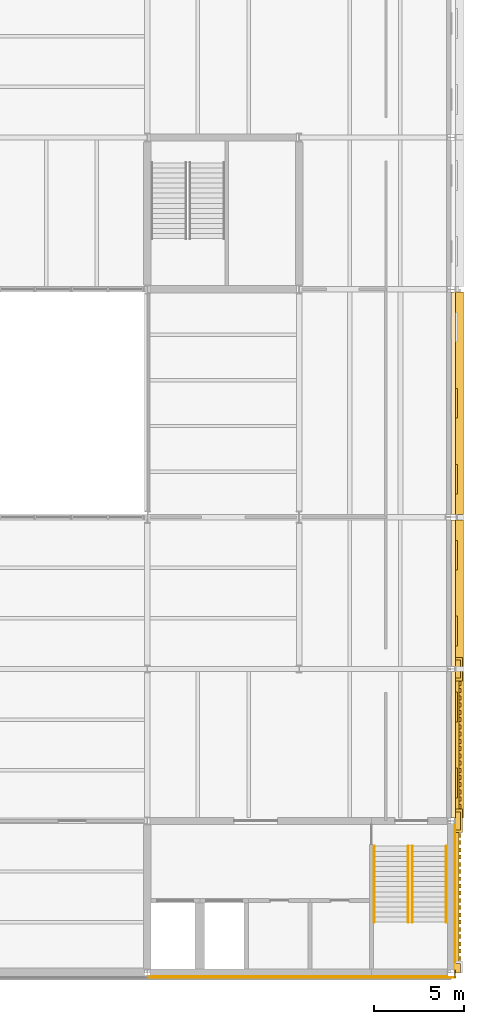
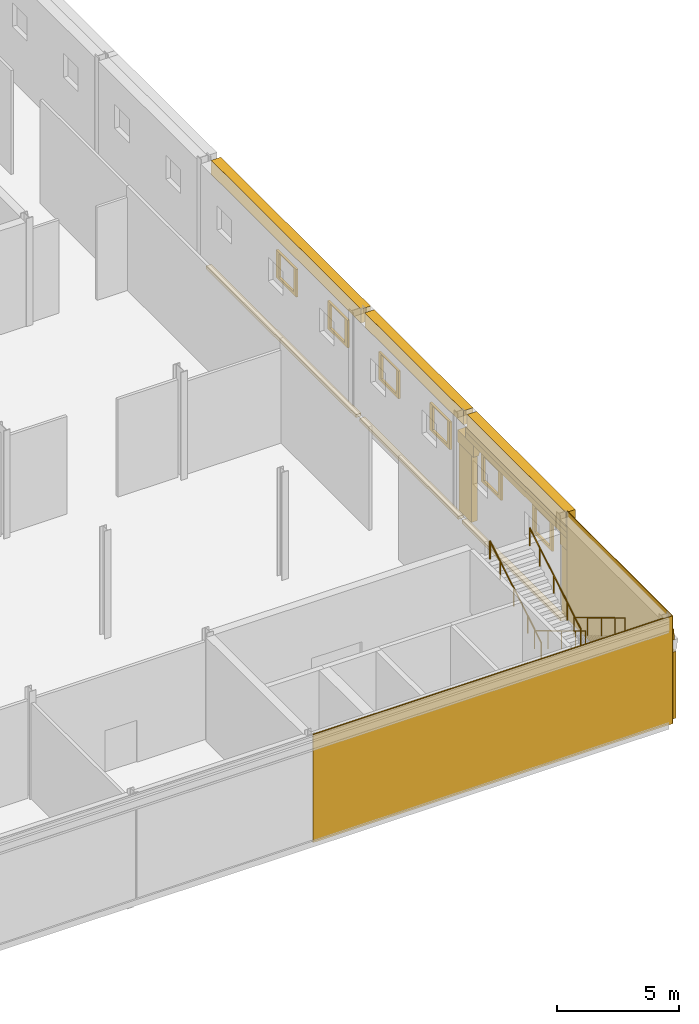
# One storey, part 49 of 57: 26 coverings, 4 railings.
"""IFC4 building model written with IfcOpenShell, lengths in metres."""

from ifc_helpers import new_model, si_unit, direction, frame, origin, origin_2d, place, context, subcontext, project, spatial, polyline, rectangle, circle, outline, extrude, material, layer, layer_set, type_object, element, save


model = new_model("IFC4")

# Units and contexts
model_context = context("Model", 3, precision=1e-05, world=origin(), true_north=direction((0.0, 1.0)))
body_context = subcontext(model_context, "Body", "Model", "MODEL_VIEW")
ifc_project = project(units=[si_unit("LENGTHUNIT", "METRE"), si_unit("AREAUNIT", "SQUARE_METRE"), si_unit("VOLUMEUNIT", "CUBIC_METRE"), si_unit("PLANEANGLEUNIT", "RADIAN"), si_unit("MASSUNIT", "GRAM", prefix="KILO")], contexts=[model_context])

# Site, building, storey
site_placement = place(None, origin())
site = spatial("IfcSite", under=ifc_project, at=site_placement, CompositionType="ELEMENT")
building_placement = place(site_placement, origin())
building = spatial("IfcBuilding", under=site, at=building_placement, Name="Galleria Vessillo Department Store", CompositionType="ELEMENT")
storey_placement = place(building_placement, frame((0.0, 0.0, 25.800048828125)))
storey = spatial("IfcBuildingStorey", under=building, at=storey_placement, Name="L05", CompositionType="ELEMENT", Elevation=25.800048828125)

# Coverings
ifc_material_1 = material(Name="Lime plaster (intonaco) ochre")
ifc_layer_1 = layer(ifc_material_1, 0.030029296875)
ifc_layer_set_1 = layer_set([ifc_layer_1], Name="Lime plaster (intonaco) ochre")
covering_type_1 = type_object("IfcCoveringType", Name="Lime plaster render 30 mm", PredefinedType="CLADDING", material=ifc_layer_set_1)
covering_1_placement = place(storey_placement, frame((107.014892578125, -0.215087890625, 0.0), z_axis=(0.0, 0.0, 1.0), x_axis=(1.0, 0.0, 0.0)))
element("IfcCovering", 1, at=covering_1_placement, inside=storey, type_object=covering_type_1, Name="Wall cladding S-CW-GC-PARTY-L05-1", PredefinedType="CLADDING", context=body_context, shape_type="SweptSolid", body=[
    extrude(rectangle(XDim=12.369873046875, YDim=0.030029296875, at=origin_2d()), origin(), (0.0, 0.0, 1.0), 5.39990234375),
])
covering_2_placement = place(storey_placement, frame((115.300048828125, -0.215087890625, 0.0), z_axis=(0.0, 0.0, 1.0), x_axis=(1.0, 0.0, 0.0)))
element("IfcCovering", 2, at=covering_2_placement, inside=storey, type_object=covering_type_1, Name="Wall cladding S-CW-GC-PARTY-L05-2", PredefinedType="CLADDING", context=body_context, shape_type="SweptSolid", body=[
    extrude(rectangle(XDim=4.2001953125, YDim=0.030029296875, at=origin_2d()), origin(), (0.0, 0.0, 1.0), 5.39990234375),
])
covering_3_placement = place(storey_placement, frame((109.300048828125, -0.264892578125, 0.0), z_axis=(0.0, 0.0, 1.0), x_axis=(1.0, 0.0, 0.0)))
element("IfcCovering", 3, at=covering_3_placement, inside=storey, type_object=covering_type_1, Name="Corner cladding L05 y=0 south/north face", PredefinedType="CLADDING", context=body_context, shape_type="SweptSolid", body=[
    extrude(rectangle(XDim=17.059814453125, YDim=0.030029296875, at=origin_2d()), origin(), (0.0, 0.0, 1.0), 5.39990234375),
])
covering_4_placement = place(storey_placement, frame((117.81494140625, -0.06494140625, 0.0), z_axis=(0.0, 0.0, 1.0), x_axis=(1.0, 0.0, 0.0)))
element("IfcCovering", 4, at=covering_4_placement, inside=storey, type_object=covering_type_1, Name="Corner cladding L05 y=0 east face", PredefinedType="CLADDING", context=body_context, shape_type="SweptSolid", body=[
    extrude(rectangle(XDim=0.030029296875, YDim=0.429931640625, at=origin_2d()), origin(), (0.0, 0.0, 1.0), 5.39990234375),
])
ifc_material_2 = material(Name="Botticino limestone ashlar", Category="masonry")
ifc_layer_2 = layer(ifc_material_2, 0.199951171875)
ifc_layer_set_2 = layer_set([ifc_layer_2], Name="Botticino limestone ashlar")
covering_type_2 = type_object("IfcCoveringType", Name="Limestone architrave band 200 x 300", PredefinedType="MOLDING", material=ifc_layer_set_2)
covering_5_placement = place(storey_placement, frame((117.949951171875, 4.199951171875, 3.94970703125), z_axis=(0.0, 0.0, 1.0), x_axis=(1.0, 0.0, 0.0)))
element("IfcCovering", 5, at=covering_5_placement, inside=storey, type_object=covering_type_2, Name="Architrave band E y=0.0-8.4", PredefinedType="MOLDING", context=body_context, shape_type="SweptSolid", body=[
    extrude(rectangle(XDim=0.199951171875, YDim=8.39990234375, at=origin_2d()), origin(), (0.0, 0.0, 1.0), 0.300048828125),
])
covering_6_placement = place(storey_placement, frame((117.949951171875, 12.599853515625, 3.94970703125), z_axis=(0.0, 0.0, 1.0), x_axis=(1.0, 0.0, 0.0)))
element("IfcCovering", 6, at=covering_6_placement, inside=storey, type_object=covering_type_2, Name="Architrave band E y=8.4-16.8", PredefinedType="MOLDING", context=body_context, shape_type="SweptSolid", body=[
    extrude(rectangle(XDim=0.199951171875, YDim=8.400146484375, at=origin_2d()), origin(), (0.0, 0.0, 1.0), 0.300048828125),
])
ifc_material_3 = material(Name="Botticino limestone ashlar", Category="masonry")
ifc_layer_3 = layer(ifc_material_3, 0.449951171875)
ifc_layer_set_3 = layer_set([ifc_layer_3], Name="Botticino limestone ashlar")
covering_type_3 = type_object("IfcCoveringType", Name="Limestone cornice 450 x 700", PredefinedType="MOLDING", material=ifc_layer_set_3)
covering_7_placement = place(storey_placement, frame((118.0751953125, 12.60009765625, 4.5), z_axis=(0.0, 0.0, 1.0), x_axis=(1.0, 0.0, 0.0)))
element("IfcCovering", 7, at=covering_7_placement, inside=storey, type_object=covering_type_3, Name="Cornice SE-L05-01", PredefinedType="MOLDING", context=body_context, shape_type="SweptSolid", body=[
    extrude(rectangle(XDim=0.449951171875, YDim=8.10009765625, at=origin_2d()), origin(), (0.0, 0.0, 1.0), 0.699951171875),
])
covering_8_placement = place(storey_placement, frame((118.0751953125, 20.998779296875, 4.5), z_axis=(0.0, 0.0, 1.0), x_axis=(1.0, 0.0, 0.0)))
element("IfcCovering", 8, at=covering_8_placement, inside=storey, type_object=covering_type_3, Name="Cornice SE-L05-02", PredefinedType="MOLDING", context=body_context, shape_type="SweptSolid", body=[
    extrude(rectangle(XDim=0.449951171875, YDim=8.097412109375, at=origin_2d()), origin(), (0.0, 0.0, 1.0), 0.699951171875),
])
covering_9_placement = place(storey_placement, frame((118.0751953125, 31.49951171875, 4.5), z_axis=(0.0, 0.0, 1.0), x_axis=(1.0, 0.0, 0.0)))
element("IfcCovering", 9, at=covering_9_placement, inside=storey, type_object=covering_type_3, Name="Cornice SE-L05-03", PredefinedType="MOLDING", context=body_context, shape_type="SweptSolid", body=[
    extrude(rectangle(XDim=0.449951171875, YDim=12.294189453125, at=origin_2d()), origin(), (0.0, 0.0, 1.0), 0.699951171875),
])
ifc_material_4 = material(Name="Botticino limestone ashlar", Category="masonry")
ifc_layer_4 = layer(ifc_material_4, 0.300048828125)
ifc_layer_set_4 = layer_set([ifc_layer_4], Name="Botticino limestone ashlar")
covering_type_4 = type_object("IfcCoveringType", Name="Limestone dentil course 300 x 250", PredefinedType="MOLDING", material=ifc_layer_set_4)
covering_10_placement = place(storey_placement, frame((0.0, 0.0, 4.25)))
element("IfcCovering", 10, at=covering_10_placement, inside=storey, type_object=covering_type_4, Name="Dentil course E y=0.0-8.4", PredefinedType="MOLDING", context=body_context, shape_type="SweptSolid", body=[
    extrude(outline(polyline([(117.85009765625, 0.0), (118.030029296875, 0.0), (118.030029296875, 0.2900390625), (118.14990234375, 0.2900390625), (118.14990234375, 0.510009765625), (118.030029296875, 0.510009765625), (118.030029296875, 0.68994140625), (118.14990234375, 0.68994140625), (118.14990234375, 0.909912109375), (118.030029296875, 0.909912109375), (118.030029296875, 1.090087890625), (118.14990234375, 1.090087890625), (118.14990234375, 1.31005859375), (118.030029296875, 1.31005859375), (118.030029296875, 1.489990234375), (118.14990234375, 1.489990234375), (118.14990234375, 1.7099609375), (118.030029296875, 1.7099609375), (118.030029296875, 1.889892578125), (118.14990234375, 1.889892578125), (118.14990234375, 2.110107421875), (118.030029296875, 2.110107421875), (118.030029296875, 2.2900390625), (118.14990234375, 2.2900390625), (118.14990234375, 2.510009765625), (118.030029296875, 2.510009765625), (118.030029296875, 2.68994140625), (118.14990234375, 2.68994140625), (118.14990234375, 2.909912109375), (118.030029296875, 2.909912109375), (118.030029296875, 3.090087890625), (118.14990234375, 3.090087890625), (118.14990234375, 3.31005859375), (118.030029296875, 3.31005859375), (118.030029296875, 3.489990234375), (118.14990234375, 3.489990234375), (118.14990234375, 3.7099609375), (118.030029296875, 3.7099609375), (118.030029296875, 3.889892578125), (118.14990234375, 3.889892578125), (118.14990234375, 4.110107421875), (118.030029296875, 4.110107421875), (118.030029296875, 4.2900390625), (118.14990234375, 4.2900390625), (118.14990234375, 4.510009765625), (118.030029296875, 4.510009765625), (118.030029296875, 4.68994140625), (118.14990234375, 4.68994140625), (118.14990234375, 4.909912109375), (118.030029296875, 4.909912109375), (118.030029296875, 5.090087890625), (118.14990234375, 5.090087890625), (118.14990234375, 5.31005859375), (118.030029296875, 5.31005859375), (118.030029296875, 5.489990234375), (118.14990234375, 5.489990234375), (118.14990234375, 5.7099609375), (118.030029296875, 5.7099609375), (118.030029296875, 5.889892578125), (118.14990234375, 5.889892578125), (118.14990234375, 6.110107421875), (118.030029296875, 6.110107421875), (118.030029296875, 6.2900390625), (118.14990234375, 6.2900390625), (118.14990234375, 6.510009765625), (118.030029296875, 6.510009765625), (118.030029296875, 6.68994140625), (118.14990234375, 6.68994140625), (118.14990234375, 6.909912109375), (118.030029296875, 6.909912109375), (118.030029296875, 7.090087890625), (118.14990234375, 7.090087890625), (118.14990234375, 7.31005859375), (118.030029296875, 7.31005859375), (118.030029296875, 7.489990234375), (118.14990234375, 7.489990234375), (118.14990234375, 7.7099609375), (118.030029296875, 7.7099609375), (118.030029296875, 7.889892578125), (118.14990234375, 7.889892578125), (118.14990234375, 8.110107421875), (118.030029296875, 8.110107421875), (118.030029296875, 8.39990234375), (117.85009765625, 8.39990234375), (117.85009765625, 0.0)])), origin(), (0.0, 0.0, 1.0), 0.25),
])
covering_11_placement = place(storey_placement, frame((0.0, 0.0, 4.25)))
element("IfcCovering", 11, at=covering_11_placement, inside=storey, type_object=covering_type_4, Name="Dentil course E y=8.4-16.8", PredefinedType="MOLDING", context=body_context, shape_type="SweptSolid", body=[
    extrude(outline(polyline([(117.85009765625, 8.39990234375), (118.030029296875, 8.39990234375), (118.030029296875, 8.68994140625), (118.14990234375, 8.68994140625), (118.14990234375, 8.909912109375), (118.030029296875, 8.909912109375), (118.030029296875, 9.08984375), (118.14990234375, 9.08984375), (118.14990234375, 9.31005859375), (118.030029296875, 9.31005859375), (118.030029296875, 9.489990234375), (118.14990234375, 9.489990234375), (118.14990234375, 9.7099609375), (118.030029296875, 9.7099609375), (118.030029296875, 9.889892578125), (118.14990234375, 9.889892578125), (118.14990234375, 10.10986328125), (118.030029296875, 10.10986328125), (118.030029296875, 10.289794921875), (118.14990234375, 10.289794921875), (118.14990234375, 10.510009765625), (118.030029296875, 10.510009765625), (118.030029296875, 10.68994140625), (118.14990234375, 10.68994140625), (118.14990234375, 10.909912109375), (118.030029296875, 10.909912109375), (118.030029296875, 11.08984375), (118.14990234375, 11.08984375), (118.14990234375, 11.31005859375), (118.030029296875, 11.31005859375), (118.030029296875, 11.489990234375), (118.14990234375, 11.489990234375), (118.14990234375, 11.7099609375), (118.030029296875, 11.7099609375), (118.030029296875, 11.889892578125), (118.14990234375, 11.889892578125), (118.14990234375, 12.10986328125), (118.030029296875, 12.10986328125), (118.030029296875, 12.289794921875), (118.14990234375, 12.289794921875), (118.14990234375, 12.510009765625), (118.030029296875, 12.510009765625), (118.030029296875, 12.68994140625), (118.14990234375, 12.68994140625), (118.14990234375, 12.909912109375), (118.030029296875, 12.909912109375), (118.030029296875, 13.08984375), (118.14990234375, 13.08984375), (118.14990234375, 13.31005859375), (118.030029296875, 13.31005859375), (118.030029296875, 13.489990234375), (118.14990234375, 13.489990234375), (118.14990234375, 13.7099609375), (118.030029296875, 13.7099609375), (118.030029296875, 13.889892578125), (118.14990234375, 13.889892578125), (118.14990234375, 14.10986328125), (118.030029296875, 14.10986328125), (118.030029296875, 14.2900390625), (118.14990234375, 14.2900390625), (118.14990234375, 14.510009765625), (118.030029296875, 14.510009765625), (118.030029296875, 14.68994140625), (118.14990234375, 14.68994140625), (118.14990234375, 14.909912109375), (118.030029296875, 14.909912109375), (118.030029296875, 15.08984375), (118.14990234375, 15.08984375), (118.14990234375, 15.31005859375), (118.030029296875, 15.31005859375), (118.030029296875, 15.489990234375), (118.14990234375, 15.489990234375), (118.14990234375, 15.7099609375), (118.030029296875, 15.7099609375), (118.030029296875, 15.889892578125), (118.14990234375, 15.889892578125), (118.14990234375, 16.10986328125), (118.030029296875, 16.10986328125), (118.030029296875, 16.2900390625), (118.14990234375, 16.2900390625), (118.14990234375, 16.510009765625), (118.030029296875, 16.510009765625), (118.030029296875, 16.800048828125), (117.85009765625, 16.800048828125), (117.85009765625, 8.39990234375)])), origin(), (0.0, 0.0, 1.0), 0.25),
])
ifc_material_5 = material(Name="Botticino limestone ashlar", Category="masonry")
ifc_layer_5 = layer(ifc_material_5, 0.280029296875)
ifc_layer_set_5 = layer_set([ifc_layer_5], Name="Botticino limestone ashlar")
covering_type_5 = type_object("IfcCoveringType", Name="Limestone giant pilaster 1000 x 280", PredefinedType="CLADDING", material=ifc_layer_set_5)
covering_12_placement = place(storey_placement, frame((117.965087890625, 0.25, 0.0), z_axis=(0.0, 0.0, 1.0), x_axis=(1.0, 0.0, 0.0)))
element("IfcCovering", 12, at=covering_12_placement, inside=storey, type_object=covering_type_5, Name="Giant pilaster E L05 y=0.0", PredefinedType="CLADDING", context=body_context, shape_type="SweptSolid", body=[
    extrude(rectangle(XDim=0.330078125, YDim=0.5, at=origin_2d()), origin(), (0.0, 0.0, 1.0), 3.35009765625),
])
for number, where, z_axis, x_axis, name in (
    (13, (117.989990234375, 8.39990234375, 0.0), (0.0, 0.0, 1.0), (1.0, 0.0, 0.0), "Giant pilaster E L05 y=8.4"),
    (14, (117.989990234375, 16.800048828125, 0.0), (0.0, 0.0, 1.0), (1.0, 0.0, 0.0), "Giant pilaster E L05 y=16.8"),
):
    element("IfcCovering", number, at=place(storey_placement, frame(where, z_axis=z_axis, x_axis=x_axis)), inside=storey, type_object=covering_type_5, Name=name, PredefinedType="CLADDING", context=body_context, shape_type="SweptSolid", body=[
        extrude(rectangle(XDim=0.280029296875, YDim=1.0, at=origin_2d()), origin(), (0.0, 0.0, 1.0), 3.35009765625),
    ])
ifc_material_6 = material(Name="Botticino limestone ashlar", Category="masonry")
ifc_layer_6 = layer(ifc_material_6, 0.3798828125)
ifc_layer_set_6 = layer_set([ifc_layer_6], Name="Botticino limestone ashlar")
covering_type_6 = type_object("IfcCoveringType", Name="Limestone pilaster capital 1300 x 380 x 600", PredefinedType="MOLDING", material=ifc_layer_set_6)
for number, where, z_axis, x_axis, name in (
    (15, (117.60009765625, 9.0498046875, 3.349853515625), (0.0, -1.0, 0.0), (1.0, 0.0, 0.0), "Pilaster capital E y=8.4"),
    (16, (117.60009765625, 17.449951171875, 3.349853515625), (0.0, -1.0, 0.0), (1.0, 0.0, 0.0), "Pilaster capital E y=16.8"),
):
    element("IfcCovering", number, at=place(storey_placement, frame(where, z_axis=z_axis, x_axis=x_axis)), inside=storey, type_object=covering_type_6, Name=name, PredefinedType="MOLDING", context=body_context, shape_type="SweptSolid", body=[
        extrude(outline(polyline([(0.25, 0.0), (0.530029296875, 0.0), (0.530029296875, 0.10009765625), (0.580078125, 0.179931640625), (0.580078125, 0.3798828125), (0.6298828125, 0.419921875), (0.6298828125, 0.60009765625), (0.25, 0.60009765625), (0.25, 0.0)])), origin(), (0.0, 0.0, 1.0), 1.300048828125),
    ])
ifc_material_7 = material(Name="Botticino limestone ashlar", Category="masonry")
ifc_layer_7 = layer(ifc_material_7, 0.14990234375)
ifc_layer_set_7 = layer_set([ifc_layer_7], Name="Botticino limestone ashlar")
covering_type_7 = type_object("IfcCoveringType", Name="Limestone slab-edge fascia 150 mm", PredefinedType="CLADDING", material=ifc_layer_set_7)
covering_13_placement = place(storey_placement, frame((117.72509765625, 12.60009765625, -0.14990234375), z_axis=(0.0, 0.0, 1.0), x_axis=(1.0, 0.0, 0.0)))
element("IfcCovering", 17, at=covering_13_placement, inside=storey, type_object=covering_type_7, Name="Slab-edge fascia SE-L04-01", PredefinedType="CLADDING", context=body_context, shape_type="SweptSolid", body=[
    extrude(rectangle(XDim=0.25, YDim=8.10009765625, at=origin_2d()), origin(), (0.0, 0.0, 1.0), 0.14990234375),
])
covering_14_placement = place(storey_placement, frame((117.72509765625, 20.998779296875, -0.14990234375), z_axis=(0.0, 0.0, 1.0), x_axis=(1.0, 0.0, 0.0)))
element("IfcCovering", 18, at=covering_14_placement, inside=storey, type_object=covering_type_7, Name="Slab-edge fascia SE-L04-02", PredefinedType="CLADDING", context=body_context, shape_type="SweptSolid", body=[
    extrude(rectangle(XDim=0.25, YDim=8.097412109375, at=origin_2d()), origin(), (0.0, 0.0, 1.0), 0.14990234375),
])
covering_15_placement = place(storey_placement, frame((117.72509765625, 31.49951171875, -0.14990234375), z_axis=(0.0, 0.0, 1.0), x_axis=(1.0, 0.0, 0.0)))
element("IfcCovering", 19, at=covering_15_placement, inside=storey, type_object=covering_type_7, Name="Slab-edge fascia SE-L04-03", PredefinedType="CLADDING", context=body_context, shape_type="SweptSolid", body=[
    extrude(rectangle(XDim=0.25, YDim=12.294189453125, at=origin_2d()), origin(), (0.0, 0.0, 1.0), 0.14990234375),
])
ifc_material_8 = material(Name="Botticino limestone ashlar", Category="masonry")
ifc_layer_8 = layer(ifc_material_8, 0.030029296875)
ifc_layer_set_8 = layer_set([ifc_layer_8], Name="Botticino limestone ashlar")
covering_type_8 = type_object("IfcCoveringType", Name="Limestone wall cladding 30 mm", PredefinedType="CLADDING", material=ifc_layer_set_8)
covering_16_placement = place(storey_placement, frame((117.815185546875, 4.260009765625, 0.0), z_axis=(0.0, 0.0, 1.0), x_axis=(1.0, 0.0, 0.0)))
element("IfcCovering", 20, at=covering_16_placement, inside=storey, type_object=covering_type_8, Name="Wall cladding S-CW-GC-EAST-L05", PredefinedType="CLADDING", context=body_context, shape_type="SweptSolid", body=[
    extrude(rectangle(XDim=0.030029296875, YDim=8.219970703125, at=origin_2d()), origin(), (0.0, 0.0, 1.0), 5.39990234375),
])
ifc_material_9 = material(Name="Botticino limestone ashlar", Category="masonry")
ifc_layer_9 = layer(ifc_material_9, 0.10009765625)
ifc_layer_set_9 = layer_set([ifc_layer_9], Name="Botticino limestone ashlar")
covering_type_9 = type_object("IfcCoveringType", Name="Limestone window surround 100 mm", PredefinedType="CLADDING", material=ifc_layer_set_9)
covering_17_placement = place(storey_placement, frame((117.85009765625, 0.0, 2.699951171875), z_axis=(1.0, 0.0, 0.0), x_axis=(0.0, 1.0, 0.0)))
element("IfcCovering", 21, at=covering_17_placement, inside=storey, type_object=covering_type_9, Name="Window surround W080", PredefinedType="CLADDING", context=body_context, shape_type="SweptSolid", body=[
    extrude(outline(polyline([(9.679931640625, -0.139892578125), (11.31982421875, -0.139892578125), (11.31982421875, 1.25), (9.679931640625, 1.25), (9.679931640625, -0.139892578125)]), holes=[polyline([(9.89990234375, 0.0), (11.099853515625, 0.0), (11.099853515625, 1.199951171875), (9.89990234375, 1.199951171875), (9.89990234375, 0.0)])]), origin(), (0.0, 0.0, 1.0), 0.10009765625),
])
covering_18_placement = place(storey_placement, frame((117.85009765625, 0.0, 2.699951171875), z_axis=(1.0, 0.0, 0.0), x_axis=(0.0, 1.0, 0.0)))
element("IfcCovering", 22, at=covering_18_placement, inside=storey, type_object=covering_type_9, Name="Window surround W081", PredefinedType="CLADDING", context=body_context, shape_type="SweptSolid", body=[
    extrude(outline(polyline([(13.880126953125, -0.139892578125), (15.52001953125, -0.139892578125), (15.52001953125, 1.25), (13.880126953125, 1.25), (13.880126953125, -0.139892578125)]), holes=[polyline([(14.10009765625, 0.0), (15.300048828125, 0.0), (15.300048828125, 1.199951171875), (14.10009765625, 1.199951171875), (14.10009765625, 0.0)])]), origin(), (0.0, 0.0, 1.0), 0.10009765625),
])
covering_19_placement = place(storey_placement, frame((117.85009765625, 0.0, 2.699951171875), z_axis=(1.0, 0.0, 0.0), x_axis=(0.0, 1.0, 0.0)))
element("IfcCovering", 23, at=covering_19_placement, inside=storey, type_object=covering_type_9, Name="Window surround W082", PredefinedType="CLADDING", context=body_context, shape_type="SweptSolid", body=[
    extrude(outline(polyline([(18.080078125, -0.139892578125), (19.719970703125, -0.139892578125), (19.719970703125, 1.25), (18.080078125, 1.25), (18.080078125, -0.139892578125)]), holes=[polyline([(18.300048828125, 0.0), (19.5, 0.0), (19.5, 1.199951171875), (18.300048828125, 1.199951171875), (18.300048828125, 0.0)])]), origin(), (0.0, 0.0, 1.0), 0.10009765625),
])
covering_20_placement = place(storey_placement, frame((117.85009765625, 0.0, 2.699951171875), z_axis=(1.0, 0.0, 0.0), x_axis=(0.0, 1.0, 0.0)))
element("IfcCovering", 24, at=covering_20_placement, inside=storey, type_object=covering_type_9, Name="Window surround W083", PredefinedType="CLADDING", context=body_context, shape_type="SweptSolid", body=[
    extrude(outline(polyline([(22.280029296875, -0.139892578125), (23.919921875, -0.139892578125), (23.919921875, 1.25), (22.280029296875, 1.25), (22.280029296875, -0.139892578125)]), holes=[polyline([(22.5, 0.0), (23.699951171875, 0.0), (23.699951171875, 1.199951171875), (22.5, 1.199951171875), (22.5, 0.0)])]), origin(), (0.0, 0.0, 1.0), 0.10009765625),
])
covering_21_placement = place(storey_placement, frame((117.85009765625, 0.0, 2.699951171875), z_axis=(1.0, 0.0, 0.0), x_axis=(0.0, 1.0, 0.0)))
element("IfcCovering", 25, at=covering_21_placement, inside=storey, type_object=covering_type_9, Name="Window surround W084", PredefinedType="CLADDING", context=body_context, shape_type="SweptSolid", body=[
    extrude(outline(polyline([(26.47998046875, -0.139892578125), (28.1201171875, -0.139892578125), (28.1201171875, 1.25), (26.47998046875, 1.25), (26.47998046875, -0.139892578125)]), holes=[polyline([(26.699951171875, 0.0), (27.89990234375, 0.0), (27.89990234375, 1.199951171875), (26.699951171875, 1.199951171875), (26.699951171875, 0.0)])]), origin(), (0.0, 0.0, 1.0), 0.10009765625),
])
covering_22_placement = place(storey_placement, frame((117.85009765625, 0.0, 2.699951171875), z_axis=(1.0, 0.0, 0.0), x_axis=(0.0, 1.0, 0.0)))
element("IfcCovering", 26, at=covering_22_placement, inside=storey, type_object=covering_type_9, Name="Window surround W085", PredefinedType="CLADDING", context=body_context, shape_type="SweptSolid", body=[
    extrude(outline(polyline([(30.679931640625, -0.139892578125), (32.31982421875, -0.139892578125), (32.31982421875, 1.25), (30.679931640625, 1.25), (30.679931640625, -0.139892578125)]), holes=[polyline([(30.89990234375, 0.0), (32.099853515625, 0.0), (32.099853515625, 1.199951171875), (30.89990234375, 1.199951171875), (30.89990234375, 0.0)])]), origin(), (0.0, 0.0, 1.0), 0.10009765625),
])

# Railings
ifc_material_10 = material(Name="Stainless steel tube", Category="steel")
railing_type = type_object("IfcRailingType", Name="Stair handrail steel tube 48 mm", PredefinedType="HANDRAIL", material=ifc_material_10)
for number, where, name in (
    (27, (117.33984375, 7.0, 0.168701171875), "Handrail ST7 L05 flight 1A"),
    (28, (115.4599609375, 7.0, 0.168701171875), "Handrail ST7 L05 flight 1B"),
):
    element("IfcRailing", number, at=place(storey_placement, frame(where)), inside=storey, type_object=railing_type, Name=name, PredefinedType="HANDRAIL", context=body_context, shape_type="SweptSolid", body=[
        extrude(circle(Radius=0.02392578125, at=origin_2d()), frame((0.0, 0.0, 0.89599609375), z_axis=(0.0, -0.856486514401, 0.516169401116), x_axis=(1.0, 0.0, 0.0)), (0.0, 0.0, 1.0), 1.307861328125),
        extrude(circle(Radius=0.02392578125, at=origin_2d()), frame((0.0, -1.1201171875, 1.57080078125), z_axis=(0.0, -0.856436765236, 0.516251941548), x_axis=(1.0, 0.0, 0.0)), (0.0, 0.0, 1.0), 1.3076171875),
        extrude(circle(Radius=0.02392578125, at=origin_2d()), frame((0.0, -2.239990234375, 2.24609375), z_axis=(0.0, -0.856486514401, 0.516169401116), x_axis=(1.0, 0.0, 0.0)), (0.0, 0.0, 1.0), 1.307861328125),
        extrude(circle(Radius=0.02392578125, at=origin_2d()), frame((0.0, -3.360107421875, 2.9208984375), z_axis=(0.0, -0.856502732318, 0.516142489563), x_axis=(1.0, 0.0, 0.0)), (0.0, 0.0, 1.0), 0.98046875),
        extrude(circle(Radius=0.02099609375, at=origin_2d()), origin(), (0.0, 0.0, 1.0), 0.871826171875),
        extrude(circle(Radius=0.02099609375, at=origin_2d()), frame((0.0, -1.1201171875, 0.675048828125)), (0.0, 0.0, 1.0), 0.871826171875),
        extrude(circle(Radius=0.02099609375, at=origin_2d()), frame((0.0, -2.239990234375, 1.35009765625)), (0.0, 0.0, 1.0), 0.871826171875),
        extrude(circle(Radius=0.02099609375, at=origin_2d()), frame((0.0, -3.360107421875, 2.025146484375)), (0.0, 0.0, 1.0), 0.871826171875),
        extrude(circle(Radius=0.02099609375, at=origin_2d()), frame((0.0, -4.199951171875, 2.53125)), (0.0, 0.0, 1.0), 0.871826171875),
    ])
for number, where, name in (
    (29, (113.360107421875, 2.800048828125, 2.86865234375), "Handrail ST7 L05 flight 2A"),
    (30, (115.239990234375, 2.800048828125, 2.86865234375), "Handrail ST7 L05 flight 2B"),
):
    element("IfcRailing", number, at=place(storey_placement, frame(where)), inside=storey, type_object=railing_type, Name=name, PredefinedType="HANDRAIL", context=body_context, shape_type="SweptSolid", body=[
        extrude(circle(Radius=0.02392578125, at=origin_2d()), frame((0.0, 0.0, 0.89599609375), z_axis=(0.0, 0.856486514401, 0.516169401116), x_axis=(-1.0, 0.0, 0.0)), (0.0, 0.0, 1.0), 1.307861328125),
        extrude(circle(Radius=0.02392578125, at=origin_2d()), frame((0.0, 1.1201171875, 1.57080078125), z_axis=(0.0, 0.856436765236, 0.516251941548), x_axis=(-1.0, 0.0, 0.0)), (0.0, 0.0, 1.0), 1.3076171875),
        extrude(circle(Radius=0.02392578125, at=origin_2d()), frame((0.0, 2.239990234375, 2.24609375), z_axis=(0.0, 0.856486514401, 0.516169401116), x_axis=(-1.0, 0.0, 0.0)), (0.0, 0.0, 1.0), 1.307861328125),
        extrude(circle(Radius=0.02392578125, at=origin_2d()), frame((0.0, 3.360107421875, 2.9208984375), z_axis=(0.0, 0.856502732318, 0.516142489563), x_axis=(-1.0, 0.0, 0.0)), (0.0, 0.0, 1.0), 0.98046875),
        extrude(circle(Radius=0.02099609375, at=origin_2d()), origin(), (0.0, 0.0, 1.0), 0.871826171875),
        extrude(circle(Radius=0.02099609375, at=origin_2d()), frame((0.0, 1.1201171875, 0.675048828125)), (0.0, 0.0, 1.0), 0.871826171875),
        extrude(circle(Radius=0.02099609375, at=origin_2d()), frame((0.0, 2.239990234375, 1.35009765625)), (0.0, 0.0, 1.0), 0.871826171875),
        extrude(circle(Radius=0.02099609375, at=origin_2d()), frame((0.0, 3.360107421875, 2.025146484375)), (0.0, 0.0, 1.0), 0.871826171875),
        extrude(circle(Radius=0.02099609375, at=origin_2d()), frame((0.0, 4.199951171875, 2.53125)), (0.0, 0.0, 1.0), 0.871826171875),
    ])

save(model, "model.ifc")
